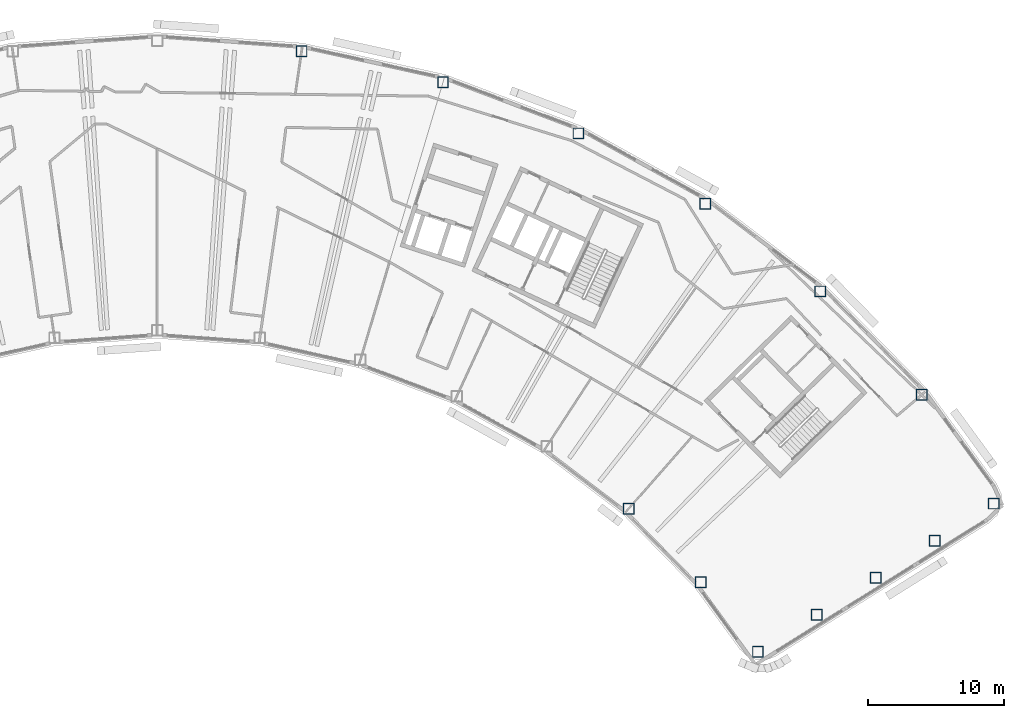
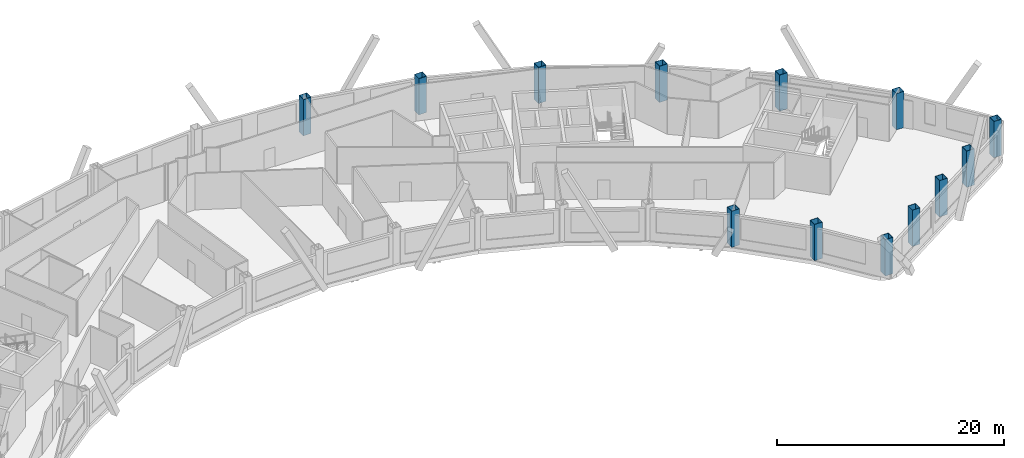
# One storey, part 2 of 13: 13 columns.
"""IFC4 building model written with IfcOpenShell, lengths in metres."""

from ifc_helpers import new_model, si_unit, direction, frame, origin, origin_2d, place, context, subcontext, project, spatial, hollow_rectangle, extrude, material, material_profile, profile_set, type_object, element, save


model = new_model("IFC4")

# Units and contexts
model_context = context("Model", 3, precision=1e-05, world=origin(), true_north=direction((0.0, 1.0)))
body_context = subcontext(model_context, "Body", "Model", "MODEL_VIEW")
ifc_project = project(units=[si_unit("LENGTHUNIT", "METRE"), si_unit("AREAUNIT", "SQUARE_METRE"), si_unit("VOLUMEUNIT", "CUBIC_METRE"), si_unit("PLANEANGLEUNIT", "RADIAN"), si_unit("MASSUNIT", "GRAM", prefix="KILO")], contexts=[model_context])

# Site, building, storey
site_placement = place(None, origin())
site = spatial("IfcSite", under=ifc_project, at=site_placement, CompositionType="ELEMENT")
building_placement = place(site_placement, origin())
building = spatial("IfcBuilding", under=site, at=building_placement, Name="Tuul Gate Civic Tower", CompositionType="ELEMENT")
storey_placement = place(building_placement, frame((0.0, 0.0, 319.699951171875)))
storey = spatial("IfcBuildingStorey", under=building, at=storey_placement, Name="Level 72", CompositionType="ELEMENT", Elevation=319.699951171875)

# Columns
ifc_material = material(Name="Steel S355", Category="steel")
ifc_material_profile = material_profile(ifc_material, hollow_rectangle(XDim=0.800048828125, YDim=0.800048828125, WallThickness=0.031982421875, at=origin_2d()), Name="BOX800x800x32")
ifc_profile_set = profile_set([ifc_material_profile], Name="Steel S355")
column_type = type_object("IfcColumnType", Name="STR-COLUMN-BOX800x800x32", PredefinedType="COLUMN", material=ifc_profile_set)
for number, where, z_axis, x_axis, name in (
    (1, (63.863037109375, -20.300048828125, 0.0), (0.0, 0.0, 1.0), (1.0, 0.0, 0.0), "Column"),
    (2, (58.56396484375, -12.2880859375, 0.0), (0.0, 0.0, 1.0), (1.0, 0.0, 0.0), "Column"),
    (3, (51.090087890625, -4.6630859375, 0.0), (0.0, 0.0, 1.0), (1.0, 0.0, 0.0), "Column"),
    (4, (42.593994140625, 1.804931640625, 0.0), (0.0, 0.0, 1.0), (1.0, 0.0, 0.0), "Column"),
    (5, (33.256103515625, 6.98193359375, 0.0), (0.0, 0.0, 1.0), (1.0, 0.0, 0.0), "Column"),
    (6, (23.26904296875, 10.758056640625, 0.0), (0.0, 0.0, 1.0), (1.0, 0.0, 0.0), "Column"),
    (7, (12.841064453125, 13.055908203125, 0.0), (0.0, 0.0, 1.0), (1.0, 0.0, 0.0), "Column"),
    (8, (36.958984375, -20.675048828125, 0.0), (0.0, 0.0, 1.0), (1.0, 0.0, 0.0), "Column"),
    (9, (42.27294921875, -26.096923828125, 0.0), (0.0, 0.0, 1.0), (1.0, 0.0, 0.0), "Column"),
    (10, (46.492919921875, -31.239013671875, 0.0), (0.0, 0.0, 1.0), (1.0, 0.0, 0.0), "Column"),
    (11, (50.8349609375, -28.50390625, 0.0), (0.0, 0.0, 1.0), (1.0, 0.0, 0.0), "Column"),
    (12, (55.177978515625, -25.77001953125, 0.0), (0.0, 0.0, 1.0), (1.0, 0.0, 0.0), "Column"),
    (13, (59.52001953125, -23.034912109375, 0.0), (0.0, 0.0, 1.0), (1.0, 0.0, 0.0), "Column"),
):
    element("IfcColumn", number, at=place(storey_placement, frame(where, z_axis=z_axis, x_axis=x_axis)), inside=storey, type_object=column_type, Name=name, PredefinedType="COLUMN", context=body_context, shape_type="SweptSolid", body=[
        extrude(hollow_rectangle(XDim=0.800048828125, YDim=0.800048828125, WallThickness=0.031982421875, at=origin_2d()), origin(), (0.0, 0.0, 1.0), 3.900146484375),
    ])

save(model, "model.ifc")
